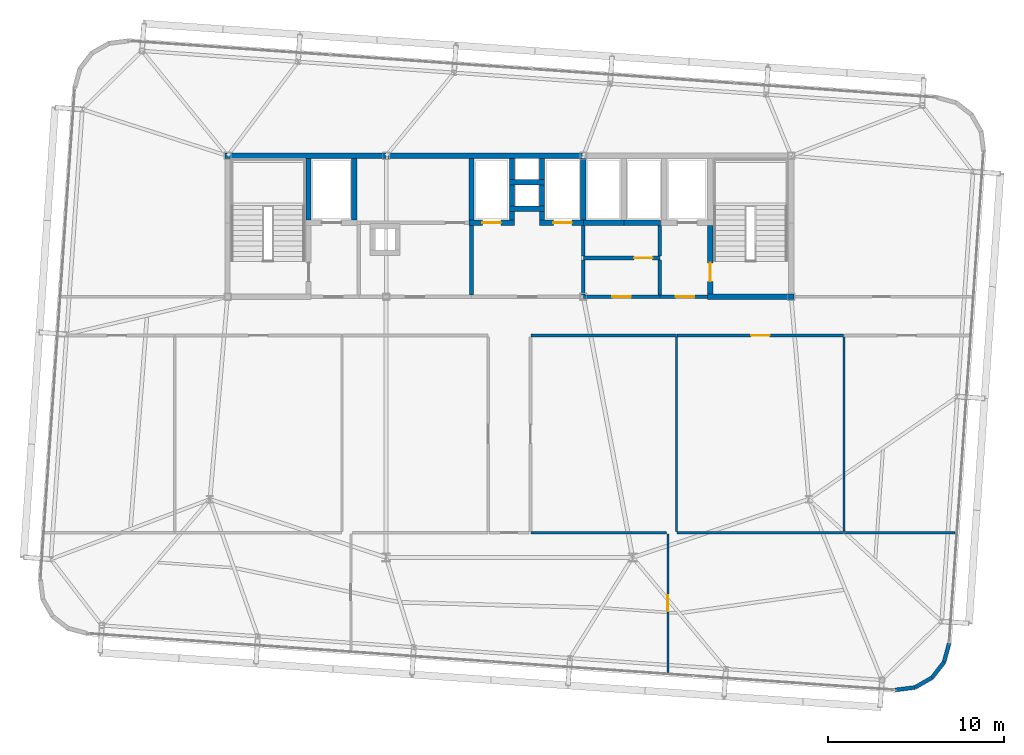
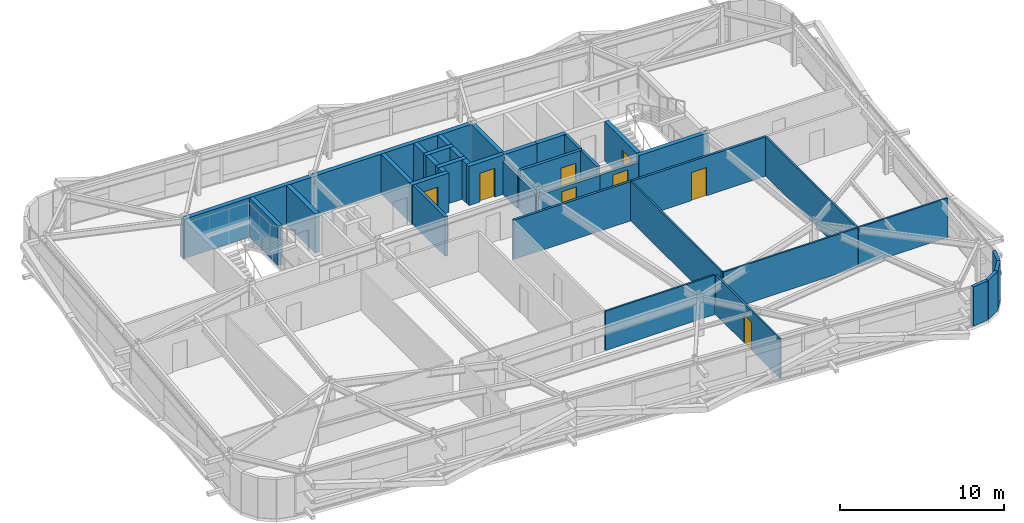
# One storey, part 36 of 39: 40 walls, 8 doors, 8 openings.
"""IFC4 building model written with IfcOpenShell, lengths in metres."""

from ifc_helpers import new_model, si_unit, direction, frame, frame_2d, origin, place, context, subcontext, project, spatial, rectangle, extrude, source, transform, mapped, material, layer, layer_set, type_object, element, fill, save


model = new_model("IFC4")

# Units and contexts
model_context = context("Model", 3, precision=1e-05, world=origin(), true_north=direction((0.0, 1.0)))
body_context = subcontext(model_context, "Body", "Model", "MODEL_VIEW")
ifc_project = project(units=[si_unit("LENGTHUNIT", "METRE"), si_unit("AREAUNIT", "SQUARE_METRE"), si_unit("VOLUMEUNIT", "CUBIC_METRE"), si_unit("PLANEANGLEUNIT", "RADIAN"), si_unit("MASSUNIT", "GRAM", prefix="KILO")], contexts=[model_context])

# Site, building, storey
site_placement = place(None, origin())
site = spatial("IfcSite", under=ifc_project, at=site_placement, CompositionType="ELEMENT")
building_placement = place(site_placement, origin())
building = spatial("IfcBuilding", under=site, at=building_placement, Name="Taldren Reach Tower", CompositionType="ELEMENT")
storey_placement = place(building_placement, frame((0.0, 0.0, 129.85009765625)))
storey = spatial("IfcBuildingStorey", under=building, at=storey_placement, Name="L39", CompositionType="ELEMENT", Elevation=129.85009765625)

# Walls
ifc_material_1 = material(Name="Pale Champagne Anodised Aluminium Cladding", Category="aluminium")
ifc_layer_1 = layer(ifc_material_1, 0.04, Name="Pale Champagne Anodised Aluminium Cladding", Category="aluminium")
ifc_material_2 = material(Name="Mineral Wool Acoustic Insulation", Category="insulation")
ifc_layer_2 = layer(ifc_material_2, 0.06, Name="Mineral Wool Acoustic Insulation", Category="insulation")
ifc_material_3 = material(Name="Steel Gr 350 (C350L0)", Category="steel")
ifc_layer_3 = layer(ifc_material_3, 0.12, Name="Steel Gr 350 (C350L0)", Category="steel")
ifc_layer_set_1 = layer_set([ifc_layer_1, ifc_layer_2, ifc_layer_3], Name="Pale Champagne Aluminium Cladding and Steel Gr 350 Stud Framing")
wall_type_1 = type_object("IfcWallType", Name="EW-CRN-220", PredefinedType="SOLIDWALL", material=ifc_layer_set_1)
shared_shape_1 = source(origin(), body_context, "Body", "SweptSolid", [
    extrude(rectangle(XDim=1.115966796875, YDim=0.219970703125, at=frame_2d((0.55810546875, 0.0))), origin(), (0.0, 0.0, 1.0), 2.929931640625),
])
for number, where, z_axis, x_axis, name in (
    (1, (58.02490234375, 1.8173828125, 0.0), (0.0, 0.0, 1.0), (0.868095010314, 0.496398079235, 0.0), "Rounded-corner pale-metal facade wall L39-SE2"),
    (2, (58.99365234375, 2.371337890625, 0.0), (0.0, 0.0, 1.0), (0.612318787668, 0.790610967714, 0.0), "Rounded-corner pale-metal facade wall L39-SE3"),
    (3, (59.677001953125, 3.253662109375, 0.0), (0.0, 0.0, 1.0), (0.262969307856, 0.964804199372, 0.0), "Rounded-corner pale-metal facade wall L39-SE4"),
):
    element("IfcWall", number, at=place(storey_placement, frame(where, z_axis=z_axis, x_axis=x_axis)), inside=storey, type_object=wall_type_1, Name=name, PredefinedType="SOLIDWALL", context=body_context, shape_type="MappedRepresentation", body=[
        mapped(shared_shape_1, transform((0.0, 0.0, 0.0), scale=1.0)),
    ])
shared_shape_2 = source(origin(), body_context, "Body", "SweptSolid", [
    extrude(rectangle(XDim=1.11572265625, YDim=0.219970703125, at=frame_2d((0.557861328125, 0.0))), origin(), (0.0, 0.0, 1.0), 2.929931640625),
])
wall_1_placement = place(storey_placement, frame((56.91796875, 1.6767578125, 0.0), z_axis=(0.0, 0.0, 1.0), x_axis=(0.99202678349, 0.126027222605, 0.0)))
element("IfcWall", 4, at=wall_1_placement, inside=storey, type_object=wall_type_1, Name="Rounded-corner pale-metal facade wall L39-SE1", PredefinedType="SOLIDWALL", context=body_context, shape_type="MappedRepresentation", body=[
    mapped(shared_shape_2, transform((0.0, 0.0, 0.0), scale=1.0)),
])

# Wall, opening, door
ifc_material_4 = material(Name="Concrete S50 (50 MPa)", Category="concrete")
ifc_layer_4 = layer(ifc_material_4, 0.199951171875)
ifc_layer_set_2 = layer_set([ifc_layer_4], Name="Concrete S50 (50 MPa)")
wall_type_2 = type_object("IfcWallType", Name="IW-CORE-200", PredefinedType="SOLIDWALL", material=ifc_layer_set_2)
shared_shape_3 = source(origin(), body_context, "Body", "SweptSolid", [
    extrude(rectangle(XDim=4.35009765625, YDim=0.199951171875, at=frame_2d((2.175048828125, 0.0))), origin(), (0.0, 0.0, 1.0), 2.39697265625),
])
wall_2_placement = place(storey_placement, frame((43.550048828125, 24.0, 0.0), z_axis=(0.0, 0.0, 1.0), x_axis=(-1.0, 0.0, 0.0)))
wall_2 = element("IfcWall", 5, at=wall_2_placement, inside=storey, type_object=wall_type_2, Name="Rear Core Shear Wall W-INT-L39-042", PredefinedType="SOLIDWALL", context=body_context, shape_type="MappedRepresentation", body=[
    mapped(shared_shape_3, transform((0.0, 0.0, 0.0), scale=1.0)),
])
shared_shape_4 = source(origin(), body_context, "Body", "SweptSolid", [
    extrude(rectangle(XDim=1.050048828125, YDim=2.10009765625, at=frame_2d((0.52490234375, 1.050048828125))), frame((0.0, 0.10986328125, 0.0), z_axis=(0.0, -1.0, 0.0), x_axis=(1.0, 0.0, 0.0)), (0.0, 0.0, 1.0), 0.219970703125),
])
opening_1_placement = place(wall_2_placement, frame((1.64990234375, 0.0, 0.0)))
opening_1 = element("IfcOpeningElement", 6, at=opening_1_placement, cuts=wall_2, Name="Opening DF-105", PredefinedType="OPENING", context=body_context, shape_type="MappedRepresentation", body=[
    mapped(shared_shape_4, transform((0.0, 0.0, 0.0), scale=1.0)),
])
ifc_material_5 = material(Name="Fire-Rated Care and Stair Exit Door")
door_type_1 = type_object("IfcDoorType", Name="ID-FIRE-105", OperationType="NOTDEFINED", PredefinedType="DOOR", material=ifc_material_5)
shared_shape_5 = source(origin(), body_context, "Body", "SweptSolid", [
    extrude(rectangle(XDim=1.050048828125, YDim=2.10009765625, at=frame_2d((0.52490234375, 1.050048828125))), frame((0.0, 0.02490234375, 0.0), z_axis=(0.0, -1.0, 0.0), x_axis=(1.0, 0.0, 0.0)), (0.0, 0.0, 1.0), 0.050048828125),
])
door_1_placement = place(opening_1_placement, frame((1.050048828125, 0.0, 0.0), z_axis=(0.0, 0.0, 1.0), x_axis=(-1.0, 0.0, 0.0)))
door_1 = element("IfcDoor", 7, at=door_1_placement, inside=storey, type_object=door_type_1, Name="Interior Door DR-L39-009", OperationType="SINGLE_SWING_LEFT", OverallHeight=2.10009765625, OverallWidth=1.050048828125, PredefinedType="DOOR", context=body_context, shape_type="MappedRepresentation", body=[
    mapped(shared_shape_5, transform((0.0, 0.0, 0.0), scale=1.0)),
])
fill(opening_1, door_1)

# Walls
shared_shape_6 = source(origin(), body_context, "Body", "SweptSolid", [
    extrude(rectangle(XDim=2.0, YDim=0.199951171875, at=frame_2d((1.0, 0.0))), origin(), (0.0, 0.0, 1.0), 2.469970703125),
])
wall_3_placement = place(storey_placement, frame((39.199951171875, 26.10009765625, 0.0), z_axis=(0.0, 0.0, 1.0), x_axis=(0.0, -1.0, 0.0)))
element("IfcWall", 8, at=wall_3_placement, inside=storey, type_object=wall_type_2, Name="Rear Core Shear Wall W-INT-L39-033", PredefinedType="SOLIDWALL", context=body_context, shape_type="MappedRepresentation", body=[
    mapped(shared_shape_6, transform((0.0, 0.0, 0.0), scale=1.0)),
])
ifc_material_6 = material(Name="Concrete S65 (65 MPa)", Category="concrete")
ifc_layer_5 = layer(ifc_material_6, 0.300048828125)
ifc_layer_set_3 = layer_set([ifc_layer_5], Name="Concrete S65 (65 MPa)")
wall_type_3 = type_object("IfcWallType", Name="IW-CORE-300", PredefinedType="SHEAR", material=ifc_layer_set_3)
shared_shape_7 = source(origin(), body_context, "Body", "SweptSolid", [
    extrude(rectangle(XDim=9.14990234375, YDim=0.300048828125, at=frame_2d((4.574951171875, 0.0))), origin(), (0.0, 0.0, 1.0), 2.929931640625),
])
wall_4_placement = place(storey_placement, frame((18.85009765625, 32.0, 0.0), z_axis=(0.0, 0.0, 1.0), x_axis=(1.0, 0.0, 0.0)))
element("IfcWall", 9, at=wall_4_placement, inside=storey, type_object=wall_type_3, Name="Rear Core Shear Wall W-CORE-L39-NORTH1", PredefinedType="SHEAR", context=body_context, shape_type="MappedRepresentation", body=[
    mapped(shared_shape_7, transform((0.0, 0.0, 0.0), scale=1.0)),
])
shared_shape_8 = source(origin(), body_context, "Body", "SweptSolid", [
    extrude(rectangle(XDim=11.199951171875, YDim=0.300048828125, at=frame_2d((5.60009765625, 0.0))), origin(), (0.0, 0.0, 1.0), 2.929931640625),
])
wall_5_placement = place(storey_placement, frame((28.0, 32.0, 0.0), z_axis=(0.0, 0.0, 1.0), x_axis=(1.0, 0.0, 0.0)))
element("IfcWall", 10, at=wall_5_placement, inside=storey, type_object=wall_type_3, Name="Rear Core Shear Wall W-CORE-L39-NORTH2", PredefinedType="SHEAR", context=body_context, shape_type="MappedRepresentation", body=[
    mapped(shared_shape_8, transform((0.0, 0.0, 0.0), scale=1.0)),
])
shared_shape_9 = source(origin(), body_context, "Body", "SweptSolid", [
    extrude(rectangle(XDim=3.5, YDim=0.300048828125, at=frame_2d((1.75, 0.0))), origin(), (0.0, 0.0, 1.0), 2.929931640625),
])
for number, where, z_axis, x_axis, name in (
    (11, (23.60009765625, 28.35009765625, 0.0), (0.0, 0.0, 1.0), (0.0, 1.0, 0.0), "Rear Core Shear Wall W-INT-L39-001"),
    (12, (26.199951171875, 28.35009765625, 0.0), (0.0, 0.0, 1.0), (0.0, 1.0, 0.0), "Rear Core Shear Wall W-INT-L39-005"),
    (13, (32.85009765625, 31.85009765625, 0.0), (0.0, 0.0, 1.0), (0.0, -1.0, 0.0), "Rear Core Shear Wall W-INT-L39-028"),
    (14, (39.199951171875, 28.35009765625, 0.0), (0.0, 0.0, 1.0), (0.0, 1.0, 0.0), "Rear Core Shear Wall W-INT-L39-031"),
):
    element("IfcWall", number, at=place(storey_placement, frame(where, z_axis=z_axis, x_axis=x_axis)), inside=storey, type_object=wall_type_3, Name=name, PredefinedType="SHEAR", context=body_context, shape_type="MappedRepresentation", body=[
        mapped(shared_shape_9, transform((0.0, 0.0, 0.0), scale=1.0)),
    ])

# Wall, opening, door
shared_shape_10 = source(origin(), body_context, "Body", "SweptSolid", [
    extrude(rectangle(XDim=3.900146484375, YDim=0.300048828125, at=frame_2d((1.9501953125, 0.0))), origin(), (0.0, 0.0, 1.0), 2.929931640625),
])
wall_6_placement = place(storey_placement, frame((46.39990234375, 28.050048828125, 0.0), z_axis=(0.0, 0.0, 1.0), x_axis=(0.0, -1.0, 0.0)))
wall_6 = element("IfcWall", 15, at=wall_6_placement, inside=storey, type_object=wall_type_3, Name="Rear Core Shear Wall W-INT-L39-009", PredefinedType="SHEAR", context=body_context, shape_type="MappedRepresentation", body=[
    mapped(shared_shape_10, transform((0.0, 0.0, 0.0), scale=1.0)),
])
shared_shape_11 = source(origin(), body_context, "Body", "SweptSolid", [
    extrude(rectangle(XDim=1.050048828125, YDim=2.10009765625, at=frame_2d((0.52490234375, 1.050048828125))), frame((0.0, 0.16015625, 0.0), z_axis=(0.0, -1.0, 0.0), x_axis=(1.0, 0.0, 0.0)), (0.0, 0.0, 1.0), 0.320068359375),
])
opening_2_placement = place(wall_6_placement, frame((2.125, 0.0, 0.0)))
opening_2 = element("IfcOpeningElement", 16, at=opening_2_placement, cuts=wall_6, Name="Opening DF-105", PredefinedType="OPENING", context=body_context, shape_type="MappedRepresentation", body=[
    mapped(shared_shape_11, transform((0.0, 0.0, 0.0), scale=1.0)),
])
door_2_placement = place(opening_2_placement, origin())
door_2 = element("IfcDoor", 17, at=door_2_placement, inside=storey, type_object=door_type_1, Name="Fire Exit Stair Door DR-L39-003", OperationType="SINGLE_SWING_RIGHT", OverallHeight=2.10009765625, OverallWidth=1.050048828125, PredefinedType="DOOR", context=body_context, shape_type="MappedRepresentation", body=[
    mapped(shared_shape_5, transform((0.0, 0.0, 0.0), scale=1.0)),
])
fill(opening_2, door_2)

# Walls
shared_shape_12 = source(origin(), body_context, "Body", "SweptSolid", [
    extrude(rectangle(XDim=4.89990234375, YDim=0.300048828125, at=frame_2d((2.449951171875, 0.0))), origin(), (0.0, 0.0, 1.0), 2.929931640625),
])
wall_7_placement = place(storey_placement, frame((46.25, 24.0, 0.0), z_axis=(0.0, 0.0, 1.0), x_axis=(1.0, 0.0, 0.0)))
element("IfcWall", 18, at=wall_7_placement, inside=storey, type_object=wall_type_3, Name="Rear Core Shear Wall W-INT-L39-010", PredefinedType="SHEAR", context=body_context, shape_type="MappedRepresentation", body=[
    mapped(shared_shape_12, transform((0.0, 0.0, 0.0), scale=1.0)),
])
shared_shape_13 = source(origin(), body_context, "Body", "SweptSolid", [
    extrude(rectangle(XDim=3.949951171875, YDim=0.199951171875, at=frame_2d((1.97509765625, 0.0))), origin(), (0.0, 0.0, 1.0), 2.929931640625),
])
wall_8_placement = place(storey_placement, frame((32.85009765625, 24.10009765625, 0.0), z_axis=(0.0, 0.0, 1.0), x_axis=(0.0, 1.0, 0.0)))
element("IfcWall", 19, at=wall_8_placement, inside=storey, type_object=wall_type_2, Name="Rear Core Shear Wall W-INT-L39-032", PredefinedType="SOLIDWALL", context=body_context, shape_type="MappedRepresentation", body=[
    mapped(shared_shape_13, transform((0.0, 0.0, 0.0), scale=1.0)),
])

# Wall, opening, door
shared_shape_14 = source(origin(), body_context, "Body", "SweptSolid", [
    extrude(rectangle(XDim=2.699951171875, YDim=0.199951171875, at=frame_2d((1.35009765625, 0.0))), origin(), (0.0, 0.0, 1.0), 2.39697265625),
])
wall_9_placement = place(storey_placement, frame((43.550048828125, 24.0, 0.0), z_axis=(0.0, 0.0, 1.0), x_axis=(1.0, 0.0, 0.0)))
wall_9 = element("IfcWall", 20, at=wall_9_placement, inside=storey, type_object=wall_type_2, Name="Rear Core Shear Wall W-INT-L39-015", PredefinedType="SOLIDWALL", context=body_context, shape_type="MappedRepresentation", body=[
    mapped(shared_shape_14, transform((0.0, 0.0, 0.0), scale=1.0)),
])
opening_3_placement = place(wall_9_placement, frame((0.89990234375, 0.0, 0.0)))
opening_3 = element("IfcOpeningElement", 21, at=opening_3_placement, cuts=wall_9, Name="Opening DF-105", PredefinedType="OPENING", context=body_context, shape_type="MappedRepresentation", body=[
    mapped(shared_shape_4, transform((0.0, 0.0, 0.0), scale=1.0)),
])
door_3_placement = place(opening_3_placement, origin())
door_3 = element("IfcDoor", 22, at=door_3_placement, inside=storey, type_object=door_type_1, Name="Interior Door DR-L39-004", OperationType="SINGLE_SWING_LEFT", OverallHeight=2.10009765625, OverallWidth=1.050048828125, PredefinedType="DOOR", context=body_context, shape_type="MappedRepresentation", body=[
    mapped(shared_shape_5, transform((0.0, 0.0, 0.0), scale=1.0)),
])
fill(opening_3, door_3)

# Walls
shared_shape_15 = source(origin(), body_context, "Body", "SweptSolid", [
    extrude(rectangle(XDim=2.0, YDim=0.300048828125, at=frame_2d((1.0, 0.0))), origin(), (0.0, 0.0, 1.0), 2.929931640625),
])
for number, where, z_axis, x_axis, name in (
    (23, (35.0, 30.5, 0.0), (0.0, 0.0, 1.0), (1.0, 0.0, 0.0), "Rear Core Shear Wall W-INT-L39-016"),
    (24, (35.0, 29.0, 0.0), (0.0, 0.0, 1.0), (1.0, 0.0, 0.0), "Rear Core Shear Wall W-INT-L39-021"),
):
    element("IfcWall", number, at=place(storey_placement, frame(where, z_axis=z_axis, x_axis=x_axis)), inside=storey, type_object=wall_type_3, Name=name, PredefinedType="SHEAR", context=body_context, shape_type="MappedRepresentation", body=[
        mapped(shared_shape_15, transform((0.0, 0.0, 0.0), scale=1.0)),
    ])
shared_shape_16 = source(origin(), body_context, "Body", "SweptSolid", [
    extrude(rectangle(XDim=1.2001953125, YDim=0.300048828125, at=frame_2d((0.60009765625, 0.0))), origin(), (0.0, 0.0, 1.0), 2.929931640625),
])
for number, where, z_axis, x_axis, name in (
    (25, (35.14990234375, 31.85009765625, 0.0), (0.0, 0.0, 1.0), (0.0, -1.0, 0.0), "Rear Core Shear Wall W-INT-L39-017"),
    (26, (36.85009765625, 30.64990234375, 0.0), (0.0, 0.0, 1.0), (0.0, 1.0, 0.0), "Rear Core Shear Wall W-INT-L39-018"),
    (27, (35.14990234375, 30.35009765625, 0.0), (0.0, 0.0, 1.0), (0.0, -1.0, 0.0), "Rear Core Shear Wall W-INT-L39-019"),
    (28, (36.85009765625, 29.14990234375, 0.0), (0.0, 0.0, 1.0), (0.0, 1.0, 0.0), "Rear Core Shear Wall W-INT-L39-020"),
):
    element("IfcWall", number, at=place(storey_placement, frame(where, z_axis=z_axis, x_axis=x_axis)), inside=storey, type_object=wall_type_3, Name=name, PredefinedType="SHEAR", context=body_context, shape_type="MappedRepresentation", body=[
        mapped(shared_shape_16, transform((0.0, 0.0, 0.0), scale=1.0)),
    ])
shared_shape_17 = source(origin(), body_context, "Body", "SweptSolid", [
    extrude(rectangle(XDim=2.070068359375, YDim=0.300048828125, at=frame_2d((1.03515625, 0.0))), origin(), (0.0, 0.0, 1.0), 2.929931640625),
])
wall_10_placement = place(storey_placement, frame((41.5, 28.199951171875, 0.0), z_axis=(0.0, 0.0, 1.0), x_axis=(1.0, 0.0, 0.0)))
element("IfcWall", 29, at=wall_10_placement, inside=storey, type_object=wall_type_3, Name="Rear Core Shear Wall W-INT-L39-038", PredefinedType="SHEAR", context=body_context, shape_type="MappedRepresentation", body=[
    mapped(shared_shape_17, transform((0.0, 0.0, 0.0), scale=1.0)),
])
shared_shape_18 = source(origin(), body_context, "Body", "SweptSolid", [
    extrude(rectangle(XDim=0.5, YDim=0.300048828125, at=frame_2d((0.25, 0.0))), origin(), (0.0, 0.0, 1.0), 2.929931640625),
])
for number, where, z_axis, x_axis, name in (
    (30, (35.14990234375, 28.35009765625, 0.0), (0.0, 0.0, 1.0), (0.0, 1.0, 0.0), "Rear Core Shear Wall W-INT-L39-027"),
    (31, (36.85009765625, 28.85009765625, 0.0), (0.0, 0.0, 1.0), (0.0, -1.0, 0.0), "Rear Core Shear Wall W-INT-L39-030"),
):
    element("IfcWall", number, at=place(storey_placement, frame(where, z_axis=z_axis, x_axis=x_axis)), inside=storey, type_object=wall_type_3, Name=name, PredefinedType="SHEAR", context=body_context, shape_type="MappedRepresentation", body=[
        mapped(shared_shape_18, transform((0.0, 0.0, 0.0), scale=1.0)),
    ])

# Wall, opening, door
shared_shape_19 = source(origin(), body_context, "Body", "SweptSolid", [
    extrude(rectangle(XDim=2.60009765625, YDim=0.300048828125, at=frame_2d((1.300048828125, 0.0))), origin(), (0.0, 0.0, 1.0), 2.929931640625),
])
wall_11_placement = place(storey_placement, frame((32.699951171875, 28.199951171875, 0.0), z_axis=(0.0, 0.0, 1.0), x_axis=(1.0, 0.0, 0.0)))
wall_11 = element("IfcWall", 32, at=wall_11_placement, inside=storey, type_object=wall_type_3, Name="Rear Core Shear Wall W-INT-L39-026", PredefinedType="SHEAR", context=body_context, shape_type="MappedRepresentation", body=[
    mapped(shared_shape_19, transform((0.0, 0.0, 0.0), scale=1.0)),
])
shared_shape_20 = source(origin(), body_context, "Body", "SweptSolid", [
    extrude(rectangle(XDim=1.050048828125, YDim=2.14990234375, at=frame_2d((0.52490234375, 1.074951171875))), frame((0.0, 0.16015625, 0.0), z_axis=(0.0, -1.0, 0.0), x_axis=(1.0, 0.0, 0.0)), (0.0, 0.0, 1.0), 0.320068359375),
])
opening_4_placement = place(wall_11_placement, frame((0.77490234375, 0.0, 0.0)))
opening_4 = element("IfcOpeningElement", 33, at=opening_4_placement, cuts=wall_11, Name="Opening LD-PM1", PredefinedType="OPENING", context=body_context, shape_type="MappedRepresentation", body=[
    mapped(shared_shape_20, transform((0.0, 0.0, 0.0), scale=1.0)),
])
ifc_material_7 = material(Name="Stainless Steel Gr 316 Passenger Lift Landing Door", Category="steel")
door_type_2 = type_object("IfcDoorType", Name="LD-PAS-105", OperationType="SLIDING_TO_LEFT", PredefinedType="DOOR", material=ifc_material_7)
shared_shape_21 = source(origin(), body_context, "Body", "SweptSolid", [
    extrude(rectangle(XDim=1.050048828125, YDim=2.14990234375, at=frame_2d((0.52490234375, 1.074951171875))), frame((0.0, 0.02490234375, 0.0), z_axis=(0.0, -1.0, 0.0), x_axis=(1.0, 0.0, 0.0)), (0.0, 0.0, 1.0), 0.050048828125),
])
door_4_placement = place(opening_4_placement, origin())
door_4 = element("IfcDoor", 34, at=door_4_placement, inside=storey, type_object=door_type_2, Name="Lift Landing Door LD-PM1-L39", OperationType="SLIDING_TO_LEFT", OverallHeight=2.14990234375, OverallWidth=1.050048828125, PredefinedType="DOOR", context=body_context, shape_type="MappedRepresentation", body=[
    mapped(shared_shape_21, transform((0.0, 0.0, 0.0), scale=1.0)),
])
fill(opening_4, door_4)

shared_shape_22 = source(origin(), body_context, "Body", "SweptSolid", [
    extrude(rectangle(XDim=2.5, YDim=0.300048828125, at=frame_2d((1.25, 0.0))), origin(), (0.0, 0.0, 1.0), 2.929931640625),
])
wall_12_placement = place(storey_placement, frame((36.699951171875, 28.199951171875, 0.0), z_axis=(0.0, 0.0, 1.0), x_axis=(1.0, 0.0, 0.0)))
wall_12 = element("IfcWall", 35, at=wall_12_placement, inside=storey, type_object=wall_type_3, Name="Rear Core Shear Wall W-INT-L39-029", PredefinedType="SHEAR", context=body_context, shape_type="MappedRepresentation", body=[
    mapped(shared_shape_22, transform((0.0, 0.0, 0.0), scale=1.0)),
])
opening_5_placement = place(wall_12_placement, frame((0.794921875, 0.0, 0.0)))
opening_5 = element("IfcOpeningElement", 36, at=opening_5_placement, cuts=wall_12, Name="Opening LD-PM2", PredefinedType="OPENING", context=body_context, shape_type="MappedRepresentation", body=[
    mapped(shared_shape_20, transform((0.0, 0.0, 0.0), scale=1.0)),
])
door_5_placement = place(opening_5_placement, origin())
door_5 = element("IfcDoor", 37, at=door_5_placement, inside=storey, type_object=door_type_2, Name="Lift Landing Door LD-PM2-L39", OperationType="SLIDING_TO_LEFT", OverallHeight=2.14990234375, OverallWidth=1.050048828125, PredefinedType="DOOR", context=body_context, shape_type="MappedRepresentation", body=[
    mapped(shared_shape_21, transform((0.0, 0.0, 0.0), scale=1.0)),
])
fill(opening_5, door_5)

# Walls
shared_shape_23 = source(origin(), body_context, "Body", "SweptSolid", [
    extrude(rectangle(XDim=2.300048828125, YDim=0.300048828125, at=frame_2d((1.14990234375, 0.0))), origin(), (0.0, 0.0, 1.0), 2.929931640625),
])
wall_13_placement = place(storey_placement, frame((39.199951171875, 28.199951171875, 0.0), z_axis=(0.0, 0.0, 1.0), x_axis=(1.0, 0.0, 0.0)))
element("IfcWall", 38, at=wall_13_placement, inside=storey, type_object=wall_type_3, Name="Rear Core Shear Wall W-INT-L39-037", PredefinedType="SHEAR", context=body_context, shape_type="MappedRepresentation", body=[
    mapped(shared_shape_23, transform((0.0, 0.0, 0.0), scale=1.0)),
])
shared_shape_24 = source(origin(), body_context, "Body", "SweptSolid", [
    extrude(rectangle(XDim=2.0, YDim=0.199951171875, at=frame_2d((1.0, 0.0))), origin(), (0.0, 0.0, 1.0), 2.929931640625),
])
wall_14_placement = place(storey_placement, frame((43.550048828125, 26.10009765625, 0.0), z_axis=(0.0, 0.0, 1.0), x_axis=(0.0, -1.0, 0.0)))
element("IfcWall", 39, at=wall_14_placement, inside=storey, type_object=wall_type_2, Name="Rear Core Shear Wall W-INT-L39-013", PredefinedType="SOLIDWALL", context=body_context, shape_type="MappedRepresentation", body=[
    mapped(shared_shape_24, transform((0.0, 0.0, 0.0), scale=1.0)),
])
shared_shape_25 = source(origin(), body_context, "Body", "SweptSolid", [
    extrude(rectangle(XDim=1.75, YDim=0.199951171875, at=frame_2d((0.875, 0.0))), origin(), (0.0, 0.0, 1.0), 2.929931640625),
])
wall_15_placement = place(storey_placement, frame((43.550048828125, 28.050048828125, 0.0), z_axis=(0.0, 0.0, 1.0), x_axis=(0.0, -1.0, 0.0)))
element("IfcWall", 40, at=wall_15_placement, inside=storey, type_object=wall_type_2, Name="Rear Core Shear Wall W-INT-L39-014", PredefinedType="SOLIDWALL", context=body_context, shape_type="MappedRepresentation", body=[
    mapped(shared_shape_25, transform((0.0, 0.0, 0.0), scale=1.0)),
])
shared_shape_26 = source(origin(), body_context, "Body", "SweptSolid", [
    extrude(rectangle(XDim=1.75, YDim=0.199951171875, at=frame_2d((0.875, 0.0))), origin(), (0.0, 0.0, 1.0), 2.469970703125),
])
wall_16_placement = place(storey_placement, frame((39.199951171875, 28.050048828125, 0.0), z_axis=(0.0, 0.0, 1.0), x_axis=(0.0, -1.0, 0.0)))
element("IfcWall", 41, at=wall_16_placement, inside=storey, type_object=wall_type_2, Name="Rear Core Shear Wall W-INT-L39-034", PredefinedType="SOLIDWALL", context=body_context, shape_type="MappedRepresentation", body=[
    mapped(shared_shape_26, transform((0.0, 0.0, 0.0), scale=1.0)),
])

# Wall, opening, door
shared_shape_27 = source(origin(), body_context, "Body", "SweptSolid", [
    extrude(rectangle(XDim=4.35009765625, YDim=0.199951171875, at=frame_2d((2.175048828125, 0.0))), origin(), (0.0, 0.0, 1.0), 2.929931640625),
])
wall_17_placement = place(storey_placement, frame((39.199951171875, 26.199951171875, 0.0), z_axis=(0.0, 0.0, 1.0), x_axis=(1.0, 0.0, 0.0)))
wall_17 = element("IfcWall", 42, at=wall_17_placement, inside=storey, type_object=wall_type_2, Name="Rear Core Shear Wall W-INT-L39-041", PredefinedType="SOLIDWALL", context=body_context, shape_type="MappedRepresentation", body=[
    mapped(shared_shape_27, transform((0.0, 0.0, 0.0), scale=1.0)),
])
opening_6_placement = place(wall_17_placement, frame((2.8798828125, 0.0, 0.0)))
opening_6 = element("IfcOpeningElement", 43, at=opening_6_placement, cuts=wall_17, Name="Opening DF-105", PredefinedType="OPENING", context=body_context, shape_type="MappedRepresentation", body=[
    mapped(shared_shape_4, transform((0.0, 0.0, 0.0), scale=1.0)),
])
door_6_placement = place(opening_6_placement, origin())
door_6 = element("IfcDoor", 44, at=door_6_placement, inside=storey, type_object=door_type_1, Name="Interior Door DR-L39-008", OperationType="SINGLE_SWING_RIGHT", OverallHeight=2.10009765625, OverallWidth=1.050048828125, PredefinedType="DOOR", context=body_context, shape_type="MappedRepresentation", body=[
    mapped(shared_shape_5, transform((0.0, 0.0, 0.0), scale=1.0)),
])
fill(opening_6, door_6)

ifc_material_8 = material(Name="Fire-Rated Acoustic Plasterboard Stud Wall", Category="gypsum")
ifc_layer_6 = layer(ifc_material_8, 0.159912109375)
ifc_layer_set_4 = layer_set([ifc_layer_6], Name="Fire-Rated Acoustic Plasterboard Stud Wall")
wall_type_4 = type_object("IfcWallType", Name="IW-FIRE-160", PredefinedType="PARTITIONING", material=ifc_layer_set_4)
shared_shape_28 = source(origin(), body_context, "Body", "SweptSolid", [
    extrude(rectangle(XDim=9.45947265625, YDim=0.159912109375, at=frame_2d((4.729736328125, 0.0))), origin(), (0.0, 0.0, 1.0), 2.929931640625),
])
wall_18_placement = place(storey_placement, frame((53.979736328125, 21.800048828125, 0.0), z_axis=(0.0, 0.0, 1.0), x_axis=(-1.0, 0.0, 0.0)))
wall_18 = element("IfcWall", 45, at=wall_18_placement, inside=storey, type_object=wall_type_4, Name="Interior Partition Wall W-INT-L39-047", PredefinedType="PARTITIONING", context=body_context, shape_type="MappedRepresentation", body=[
    mapped(shared_shape_28, transform((0.0, 0.0, 0.0), scale=1.0)),
])
shared_shape_29 = source(origin(), body_context, "Body", "SweptSolid", [
    extrude(rectangle(XDim=1.050048828125, YDim=2.10009765625, at=frame_2d((0.52490234375, 1.050048828125))), frame((0.0, 0.08984375, 0.0), z_axis=(0.0, -1.0, 0.0), x_axis=(1.0, 0.0, 0.0)), (0.0, 0.0, 1.0), 0.179931640625),
])
opening_7_placement = place(wall_18_placement, frame((4.20458984375, 0.0, 0.0)))
opening_7 = element("IfcOpeningElement", 46, at=opening_7_placement, cuts=wall_18, Name="Opening DF-105", PredefinedType="OPENING", context=body_context, shape_type="MappedRepresentation", body=[
    mapped(shared_shape_29, transform((0.0, 0.0, 0.0), scale=1.0)),
])
door_7_placement = place(opening_7_placement, origin())
door_7 = element("IfcDoor", 47, at=door_7_placement, inside=storey, type_object=door_type_1, Name="Interior Door DR-L39-012", OperationType="SINGLE_SWING_LEFT", OverallHeight=2.10009765625, OverallWidth=1.050048828125, PredefinedType="DOOR", context=body_context, shape_type="MappedRepresentation", body=[
    mapped(shared_shape_5, transform((0.0, 0.0, 0.0), scale=1.0)),
])
fill(opening_7, door_7)

# Walls
shared_shape_30 = source(origin(), body_context, "Body", "SweptSolid", [
    extrude(rectangle(XDim=8.259521484375, YDim=0.159912109375, at=frame_2d((4.1298828125, 0.0))), origin(), (0.0, 0.0, 1.0), 2.929931640625),
])
wall_19_placement = place(storey_placement, frame((44.479736328125, 21.800048828125, 0.0), z_axis=(0.0, 0.0, 1.0), x_axis=(-1.0, 0.0, 0.0)))
element("IfcWall", 48, at=wall_19_placement, inside=storey, type_object=wall_type_4, Name="Interior Partition Wall W-INT-L39-046", PredefinedType="PARTITIONING", context=body_context, shape_type="MappedRepresentation", body=[
    mapped(shared_shape_30, transform((0.0, 0.0, 0.0), scale=1.0)),
])
ifc_material_9 = material(Name="Insulated Residential Stud Partition", Category="gypsum")
ifc_layer_7 = layer(ifc_material_9, 0.1201171875)
ifc_layer_set_5 = layer_set([ifc_layer_7], Name="Insulated Residential Stud Partition")
wall_type_5 = type_object("IfcWallType", Name="IW-PART-120", PredefinedType="PARTITIONING", material=ifc_layer_set_5)
shared_shape_31 = source(origin(), body_context, "Body", "SweptSolid", [
    extrude(rectangle(XDim=9.45947265625, YDim=0.1201171875, at=frame_2d((4.729736328125, 0.0))), origin(), (0.0, 0.0, 1.0), 2.929931640625),
])
wall_20_placement = place(storey_placement, frame((44.520263671875, 10.60009765625, 0.0), z_axis=(0.0, 0.0, 1.0), x_axis=(1.0, 0.0, 0.0)))
element("IfcWall", 49, at=wall_20_placement, inside=storey, type_object=wall_type_5, Name="Interior Partition Wall W-INT-L39-060", PredefinedType="PARTITIONING", context=body_context, shape_type="MappedRepresentation", body=[
    mapped(shared_shape_31, transform((0.0, 0.0, 0.0), scale=1.0)),
])

# Wall, opening, door
shared_shape_32 = source(origin(), body_context, "Body", "SweptSolid", [
    extrude(rectangle(XDim=7.84423828125, YDim=0.1201171875, at=frame_2d((3.922119140625, 0.0))), origin(), (0.0, 0.0, 1.0), 2.929931640625),
])
wall_21_placement = place(storey_placement, frame((44.0, 10.52001953125, 0.0), z_axis=(0.0, 0.0, 1.0), x_axis=(0.0, -1.0, 0.0)))
wall_21 = element("IfcWall", 50, at=wall_21_placement, inside=storey, type_object=wall_type_5, Name="Interior Partition Wall W-INT-L39-057", PredefinedType="PARTITIONING", context=body_context, shape_type="MappedRepresentation", body=[
    mapped(shared_shape_32, transform((0.0, 0.0, 0.0), scale=1.0)),
])
shared_shape_33 = source(origin(), body_context, "Body", "SweptSolid", [
    extrude(rectangle(XDim=0.919921875, YDim=2.10009765625, at=frame_2d((0.4599609375, 1.050048828125))), frame((0.0, 0.070068359375, 0.0), z_axis=(0.0, -1.0, 0.0), x_axis=(1.0, 0.0, 0.0)), (0.0, 0.0, 1.0), 0.14013671875),
])
opening_8_placement = place(wall_21_placement, frame((3.462158203125, 0.0, 0.0)))
opening_8 = element("IfcOpeningElement", 51, at=opening_8_placement, cuts=wall_21, Name="Opening DI-092", PredefinedType="OPENING", context=body_context, shape_type="MappedRepresentation", body=[
    mapped(shared_shape_33, transform((0.0, 0.0, 0.0), scale=1.0)),
])
ifc_material_10 = material(Name="Solid-Core Timber Suite Door", Category="wood")
door_type_3 = type_object("IfcDoorType", Name="ID-INT-092", OperationType="NOTDEFINED", PredefinedType="DOOR", material=ifc_material_10)
shared_shape_34 = source(origin(), body_context, "Body", "SweptSolid", [
    extrude(rectangle(XDim=0.919921875, YDim=2.10009765625, at=frame_2d((0.4599609375, 1.050048828125))), frame((0.0, 0.02490234375, 0.0), z_axis=(0.0, -1.0, 0.0), x_axis=(1.0, 0.0, 0.0)), (0.0, 0.0, 1.0), 0.050048828125),
])
door_8_placement = place(opening_8_placement, frame((0.919921875, 0.0, 0.0), z_axis=(0.0, 0.0, 1.0), x_axis=(-1.0, 0.0, 0.0)))
door_8 = element("IfcDoor", 52, at=door_8_placement, inside=storey, type_object=door_type_3, Name="Interior Door DR-L39-019", OperationType="SINGLE_SWING_LEFT", OverallHeight=2.10009765625, OverallWidth=0.919921875, PredefinedType="DOOR", context=body_context, shape_type="MappedRepresentation", body=[
    mapped(shared_shape_34, transform((0.0, 0.0, 0.0), scale=1.0)),
])
fill(opening_8, door_8)

# Walls
shared_shape_35 = source(origin(), body_context, "Body", "SweptSolid", [
    extrude(rectangle(XDim=7.69970703125, YDim=0.1201171875, at=frame_2d((3.849853515625, 0.0))), origin(), (0.0, 0.0, 1.0), 2.929931640625),
])
wall_22_placement = place(storey_placement, frame((36.22021484375, 10.60009765625, 0.0), z_axis=(0.0, 0.0, 1.0), x_axis=(1.0, 0.0, 0.0)))
element("IfcWall", 53, at=wall_22_placement, inside=storey, type_object=wall_type_5, Name="Interior Partition Wall W-INT-L39-059", PredefinedType="PARTITIONING", context=body_context, shape_type="MappedRepresentation", body=[
    mapped(shared_shape_35, transform((0.0, 0.0, 0.0), scale=1.0)),
])
shared_shape_36 = source(origin(), body_context, "Body", "SweptSolid", [
    extrude(rectangle(XDim=6.292724609375, YDim=0.1201171875, at=frame_2d((3.146484375, 0.0))), origin(), (0.0, 0.0, 1.0), 2.929931640625),
])
wall_23_placement = place(storey_placement, frame((54.020263671875, 10.60009765625, 0.0), z_axis=(0.0, 0.0, 1.0), x_axis=(1.0, 0.0, 0.0)))
element("IfcWall", 54, at=wall_23_placement, inside=storey, type_object=wall_type_5, Name="Interior Partition Wall W-INT-L39-061", PredefinedType="PARTITIONING", context=body_context, shape_type="MappedRepresentation", body=[
    mapped(shared_shape_36, transform((0.0, 0.0, 0.0), scale=1.0)),
])
shared_shape_37 = source(origin(), body_context, "Body", "SweptSolid", [
    extrude(rectangle(XDim=11.0361328125, YDim=0.1201171875, at=frame_2d((5.51806640625, 0.0))), origin(), (0.0, 0.0, 1.0), 2.929931640625),
])
for number, where, z_axis, x_axis, name in (
    (55, (44.5, 21.718017578125, 0.0), (0.0, 0.0, 1.0), (0.0, -1.0, 0.0), "Interior Partition Wall W-INT-L39-064"),
    (56, (54.0, 21.718017578125, 0.0), (0.0, 0.0, 1.0), (0.0, -1.0, 0.0), "Interior Partition Wall W-INT-L39-065"),
):
    element("IfcWall", number, at=place(storey_placement, frame(where, z_axis=z_axis, x_axis=x_axis)), inside=storey, type_object=wall_type_5, Name=name, PredefinedType="PARTITIONING", context=body_context, shape_type="MappedRepresentation", body=[
        mapped(shared_shape_37, transform((0.0, 0.0, 0.0), scale=1.0)),
    ])

save(model, "model.ifc")
